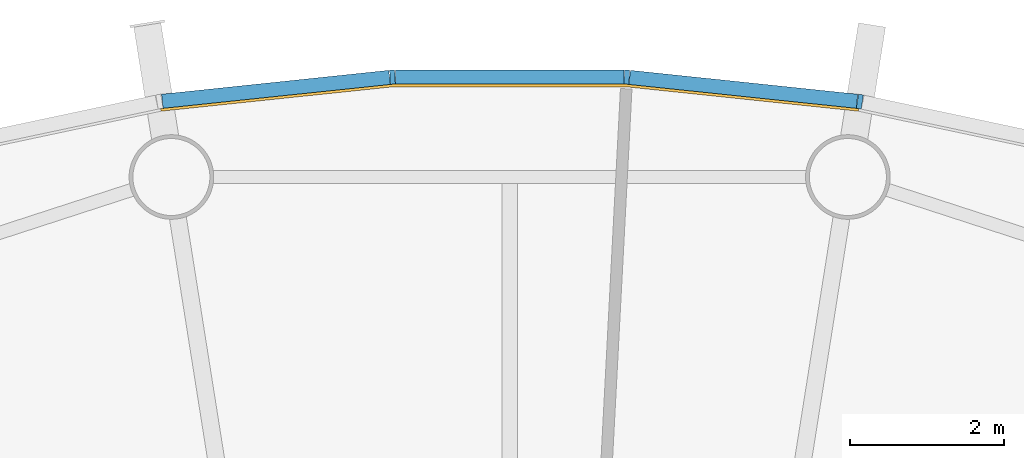
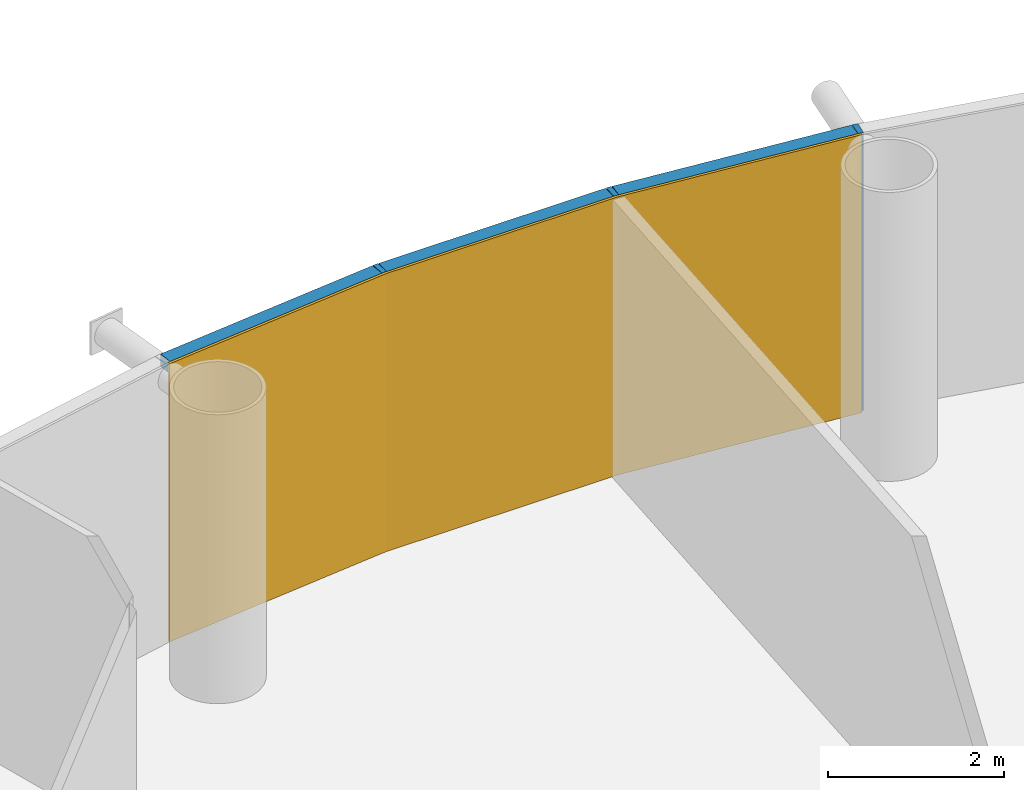
# One storey, part 15 of 17: 6 members, 1 curtain wall.
"""IFC4 building model written with IfcOpenShell, lengths in metres."""

from ifc_helpers import new_model, si_unit, direction, frame, origin, origin_2d, place, context, subcontext, project, spatial, polyline, rectangle, outline, extrude, material, layer, layer_set, material_profile, profile_set, type_object, element, aggregate, save


model = new_model("IFC4")

# Units and contexts
model_context = context("Model", 3, precision=1e-05, world=origin(), true_north=direction((0.0, 1.0)))
body_context = subcontext(model_context, "Body", "Model", "MODEL_VIEW")
ifc_project = project(units=[si_unit("LENGTHUNIT", "METRE"), si_unit("AREAUNIT", "SQUARE_METRE"), si_unit("VOLUMEUNIT", "CUBIC_METRE"), si_unit("PLANEANGLEUNIT", "RADIAN"), si_unit("MASSUNIT", "GRAM", prefix="KILO")], contexts=[model_context])

# Member
ifc_material_1 = material(Name="Anodised aluminium", Category="aluminium")
ifc_material_profile_1 = material_profile(ifc_material_1, rectangle(XDim=0.06494140625, YDim=0.18505859375, at=origin_2d()), Name="Mullion 65 x 185 mm anodised aluminium")
ifc_profile_set_1 = profile_set([ifc_material_profile_1], Name="Anodised aluminium")
member_type_1 = type_object("IfcMemberType", Name="Mullion 65 x 185 mm anodised aluminium", PredefinedType="MULLION", material=ifc_profile_set_1)
site_placement = place(None, origin())
building_placement = place(site_placement, origin())
storey_placement = place(building_placement, frame((0.0, 0.0, 176.0)))
member_1_placement = place(storey_placement, frame((94.551025390625, 108.734375, 0.0), z_axis=(0.0, 0.0, 1.0), x_axis=(-0.987688340595, 0.15643446504, 0.0)))
member_1 = element("IfcMember", 1, at=member_1_placement, type_object=member_type_1, Name="MULLION L40-12", PredefinedType="MULLION", context=body_context, shape_type="SweptSolid", body=[
    extrude(rectangle(XDim=0.06494140625, YDim=0.18505859375, at=origin_2d()), origin(), (0.0, 0.0, 1.0), 3.85009765625),
])

member_2_placement = place(storey_placement, frame((91.522705078125, 109.052734375, 0.0), z_axis=(0.0, 0.0, 1.0), x_axis=(-0.998629534755, 0.052335956243, 0.0)))
member_2 = element("IfcMember", 2, at=member_2_placement, type_object=member_type_1, Name="MULLION L40-13", PredefinedType="MULLION", context=body_context, shape_type="SweptSolid", body=[
    extrude(rectangle(XDim=0.06494140625, YDim=0.18505859375, at=origin_2d()), origin(), (0.0, 0.0, 1.0), 3.85009765625),
])

member_3_placement = place(storey_placement, frame((88.477294921875, 109.052734375, 0.0), z_axis=(0.0, 0.0, 1.0), x_axis=(-0.998629534755, -0.052335956243, 0.0)))
member_3 = element("IfcMember", 3, at=member_3_placement, type_object=member_type_1, Name="MULLION L40-14", PredefinedType="MULLION", context=body_context, shape_type="SweptSolid", body=[
    extrude(rectangle(XDim=0.06494140625, YDim=0.18505859375, at=origin_2d()), origin(), (0.0, 0.0, 1.0), 3.85009765625),
])

ifc_material_2 = material(Name="Anodised aluminium", Category="aluminium")
ifc_material_profile_2 = material_profile(ifc_material_2, rectangle(XDim=0.18505859375, YDim=0.175048828125, at=origin_2d()), Name="Transom 175 x 185 mm anodised aluminium")
ifc_profile_set_2 = profile_set([ifc_material_profile_2], Name="Anodised aluminium")
member_type_2 = type_object("IfcMemberType", Name="Transom 175 x 185 mm anodised aluminium", PredefinedType="USERDEFINED", material=ifc_profile_set_2)
member_4_placement = place(storey_placement, frame((94.513916015625, 108.73828125, 3.762451171875), z_axis=(-0.994519855197, 0.104547872381, 0.0), x_axis=(-0.104547872381, -0.994519855197, 0.0)))
member_4 = element("IfcMember", 4, at=member_4_placement, type_object=member_type_2, Name="TRANSOM L40-12", ObjectType="TRANSOM", PredefinedType="USERDEFINED", context=body_context, shape_type="SweptSolid", body=[
    extrude(rectangle(XDim=0.18505859375, YDim=0.175048828125, at=origin_2d()), origin(), (0.0, 0.0, 1.0), 2.970458984375),
])

member_5_placement = place(storey_placement, frame((91.4853515625, 109.052734375, 3.762451171875), z_axis=(-1.0, 0.0, 0.0), x_axis=(0.0, -1.0, 0.0)))
member_5 = element("IfcMember", 5, at=member_5_placement, type_object=member_type_2, Name="TRANSOM L40-13", ObjectType="TRANSOM", PredefinedType="USERDEFINED", context=body_context, shape_type="SweptSolid", body=[
    extrude(rectangle(XDim=0.18505859375, YDim=0.175048828125, at=origin_2d()), origin(), (0.0, 0.0, 1.0), 2.970703125),
])

member_6_placement = place(storey_placement, frame((88.440185546875, 109.048828125, 3.762451171875), z_axis=(-0.994519855197, -0.104547872381, 0.0), x_axis=(0.104547872381, -0.994519855197, 0.0)))
member_6 = element("IfcMember", 6, at=member_6_placement, type_object=member_type_2, Name="TRANSOM L40-14", ObjectType="TRANSOM", PredefinedType="USERDEFINED", context=body_context, shape_type="SweptSolid", body=[
    extrude(rectangle(XDim=0.18505859375, YDim=0.175048828125, at=origin_2d()), origin(), (0.0, 0.0, 1.0), 2.970458984375),
])

# Site, building, storey
site = spatial("IfcSite", under=ifc_project, at=site_placement, CompositionType="ELEMENT")
building = spatial("IfcBuilding", under=site, at=building_placement, Name="Entoto Ring Tower", CompositionType="ELEMENT")
storey = spatial("IfcBuildingStorey", under=building, at=storey_placement, Name="L40", CompositionType="ELEMENT", Elevation=176.0)

# Curtain wall
ifc_material_3 = material(Name="Clear low-iron glass", Category="glass")
ifc_layer = layer(ifc_material_3, 0.033935546875)
ifc_layer_set = layer_set([ifc_layer], Name="Clear low-iron glass")
curtain_wall_type = type_object("IfcCurtainWallType", Name="Curtain wall system CW3 glazing 34 mm", PredefinedType="NOTDEFINED", material=ifc_layer_set)
curtain_wall_placement = place(storey_placement, origin())
curtain_wall = element("IfcCurtainWall", 7, at=curtain_wall_placement, inside=storey, type_object=curtain_wall_type, Name="CW3 L40-05", PredefinedType="NOTDEFINED", context=body_context, shape_type="SweptSolid", body=[
    extrude(outline(polyline([(94.53662109375, 108.64306640625), (91.517822265625, 108.960205078125), (88.482177734375, 108.960205078125), (85.46337890625, 108.64306640625), (85.46875, 108.609375), (88.484130859375, 108.92626953125), (91.515869140625, 108.92626953125), (94.53125, 108.609375), (94.53662109375, 108.64306640625)])), origin(), (0.0, 0.0, 1.0), 3.85009765625),
])

aggregate(curtain_wall, [member_1, member_2, member_3, member_4, member_5, member_6])

save(model, "model.ifc")
